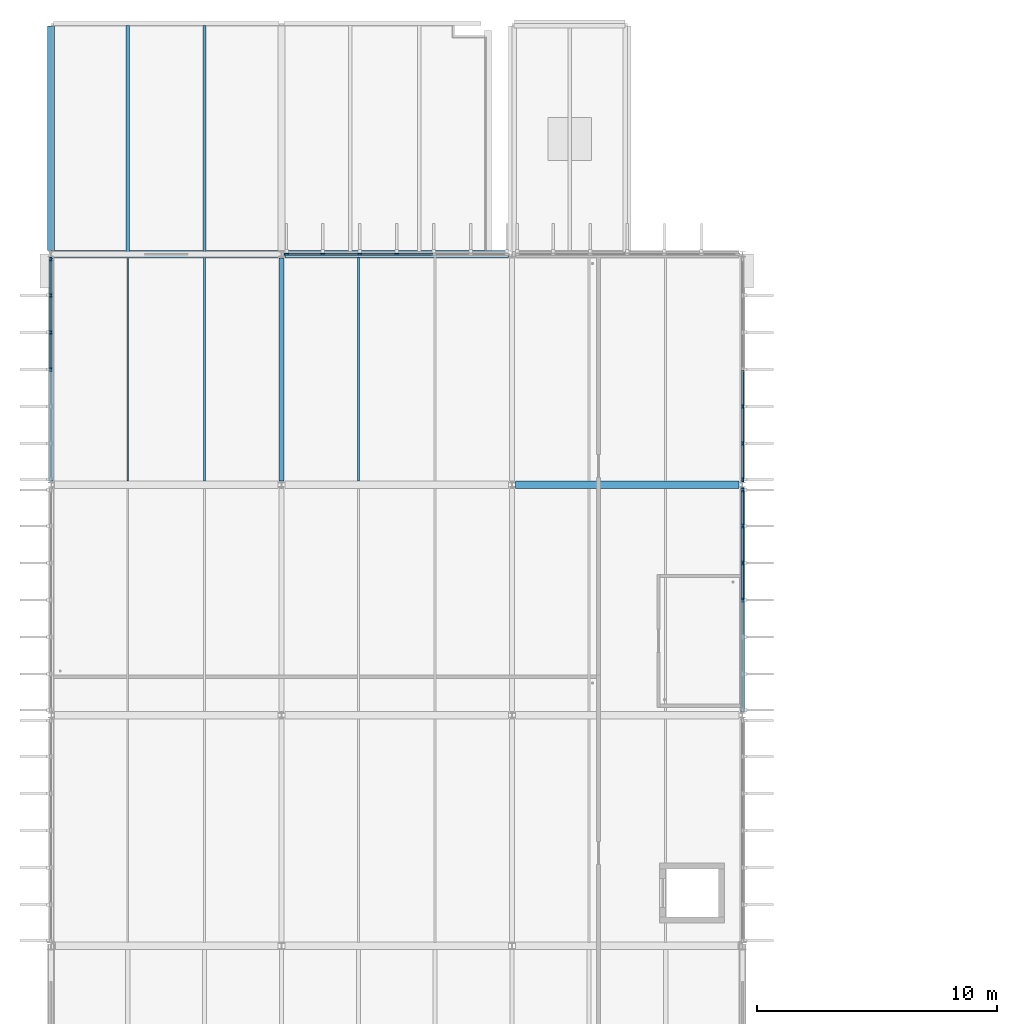
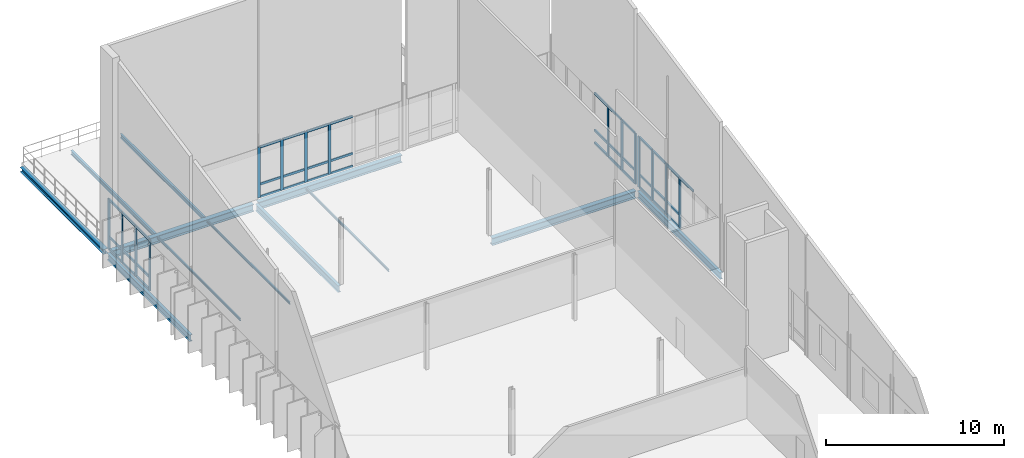
# One storey, part 36 of 93: 55 members, 12 beams, 4 elements without a shape of their own.
"""IFC4 building model written with IfcOpenShell, lengths in metres."""

import ifcopenshell
import ifcopenshell.guid

model = None  # the IFC model being written
_history = None  # IfcOwnerHistory: only IFC2X3 demands one
_inside = {}  # id of a spatial element -> (the spatial element, [elements in it])
_under = {}  # id of a project, library or spatial element -> (it, [spatial elements below it])
_declared = {}  # id of a project -> (the project, [libraries it declares])
_typed = {}  # id of a type object -> (the type object, [elements of that type])
_made_of = {}  # id of a material, layer set ... -> (it, [elements and type objects made of it])


def new_model(schema):
    """Start an empty IFC model of exactly this schema.

    Asked for "IFC4X3", IfcOpenShell would pick the latest addendum, in which some entities
    have other attributes; the version numbers below select the first issue.
    IFC2X3 requires an IfcOwnerHistory on every rooted entity: one is made here for all.
    """
    global model, _history
    if schema == "IFC4X3":
        model = ifcopenshell.file(schema_version=(4, 3, 0, 0))
    else:
        model = ifcopenshell.file(schema=schema)
    _inside.clear()
    _under.clear()
    _declared.clear()
    _typed.clear()
    _made_of.clear()
    _history = None
    if model.schema == "IFC2X3":
        org = make("IfcOrganization", Name="unknown")
        user = make(
            "IfcPersonAndOrganization",
            ThePerson=make("IfcPerson", FamilyName="unknown"),
            TheOrganization=org,
        )
        app = make(
            "IfcApplication",
            ApplicationDeveloper=org,
            Version="unknown",
            ApplicationFullName="unknown",
            ApplicationIdentifier="unknown",
        )
        _history = make(
            "IfcOwnerHistory",
            OwningUser=user,
            OwningApplication=app,
            ChangeAction="ADDED",
            CreationDate=0,
        )
    return model


def make(cls, **values):
    """One entity of the class cls with the attributes given. An attribute that is None is left unset."""
    return model.create_entity(
        cls, **{name: value for name, value in values.items() if value is not None}
    )


def rooted(cls, **values):
    """An entity with a GlobalId (a new one), such as an element, a storey or a relation."""
    return make(cls, GlobalId=ifcopenshell.guid.new(), OwnerHistory=_history, **values)


def si_unit(unit_type, name, prefix=None):
    """IfcSIUnit, for example si_unit("LENGTHUNIT", "METRE", prefix="MILLI")."""
    return make("IfcSIUnit", UnitType=unit_type, Prefix=prefix, Name=name)


def assignment(units):
    """IfcUnitAssignment: the units of a project."""
    return None if units is None else make("IfcUnitAssignment", Units=units)


def point(xyz):
    """IfcCartesianPoint."""
    return None if xyz is None else make("IfcCartesianPoint", Coordinates=xyz)


def direction(xyz):
    """IfcDirection."""
    return None if xyz is None else make("IfcDirection", DirectionRatios=xyz)


def frame(location, z_axis=None, x_axis=None):
    """IfcAxis2Placement3D, a coordinate frame: its origin and axes. An axis left out is left unset."""
    return make(
        "IfcAxis2Placement3D",
        Location=point(location),
        Axis=direction(z_axis),
        RefDirection=direction(x_axis),
    )


def frame_2d(location, x_axis=None):
    """IfcAxis2Placement2D, a coordinate frame in the plane: its origin and x axis."""
    return make(
        "IfcAxis2Placement2D", Location=point(location), RefDirection=direction(x_axis)
    )


def origin():
    """The frame at (0, 0, 0) with its axes left unset."""
    return frame((0.0, 0.0, 0.0))


def origin_2d():
    """The frame at (0, 0) in the plane with its x axis left unset."""
    return frame_2d((0.0, 0.0))


def place(relative_to, where):
    """IfcLocalPlacement: puts the frame where relative to a parent placement (None: the world)."""
    return make(
        "IfcLocalPlacement", PlacementRelTo=relative_to, RelativePlacement=where
    )


def context(
    kind, dimensions, precision=None, world=None, true_north=None, identifier=None
):
    """IfcGeometricRepresentationContext, for example the 3D "Model" context."""
    return make(
        "IfcGeometricRepresentationContext",
        ContextIdentifier=identifier,
        ContextType=kind,
        CoordinateSpaceDimension=dimensions,
        Precision=precision,
        WorldCoordinateSystem=world,
        TrueNorth=true_north,
    )


def subcontext(parent, identifier, kind, view, scale=None):
    """IfcGeometricRepresentationSubContext, for example "Body" below "Model"."""
    return make(
        "IfcGeometricRepresentationSubContext",
        ContextIdentifier=identifier,
        ContextType=kind,
        ParentContext=parent,
        TargetScale=scale,
        TargetView=view,
    )


def project(units=None, contexts=None):
    """IfcProject with its units and contexts."""
    return rooted(
        "IfcProject",
        Name="project",
        RepresentationContexts=contexts,
        UnitsInContext=assignment(units),
    )


def spatial(cls, under=None, at=None, **own):
    """A site, building, storey or space (cls), placed at a placement, below another one or the project."""
    s = rooted(cls, ObjectPlacement=at, **own)
    if under is not None:
        _under.setdefault(under.id(), (under, []))[1].append(s)
    return s


def profile(cls, at=None, kind="AREA", **sizes):
    """A parametric profile (cls). Its sizes go by their IFC names, for example OverallWidth=200.0."""
    return make(cls, ProfileType=kind, Position=at, **sizes)


def rectangle(**sizes):
    """IfcRectangleProfileDef."""
    return profile("IfcRectangleProfileDef", **sizes)


def i_section(**sizes):
    """IfcIShapeProfileDef."""
    return profile("IfcIShapeProfileDef", **sizes)


def extrude(swept, where, along, depth):
    """IfcExtrudedAreaSolid: the profile swept, set in the frame where, extruded along a direction by depth."""
    return make(
        "IfcExtrudedAreaSolid",
        SweptArea=swept,
        Position=where,
        ExtrudedDirection=direction(along),
        Depth=depth,
    )


def shape(context_of_items, identifier, shape_type, items):
    """IfcShapeRepresentation: the items that make up one representation, for example the "Body"."""
    return make(
        "IfcShapeRepresentation",
        ContextOfItems=context_of_items,
        RepresentationIdentifier=identifier,
        RepresentationType=shape_type,
        Items=items,
    )


def material(Name=None, Category=None):
    """IfcMaterial."""
    return make("IfcMaterial", Name=Name, Category=Category)


def material_profile(
    of_material, cross_section, Name=None, Category=None, Priority=None
):
    """IfcMaterialProfile: a cross section and its material."""
    return make(
        "IfcMaterialProfile",
        Name=Name,
        Material=of_material,
        Profile=cross_section,
        Priority=Priority,
        Category=Category,
    )


def profile_set(profiles, Name=None, composite=None):
    """IfcMaterialProfileSet."""
    return make(
        "IfcMaterialProfileSet",
        Name=Name,
        MaterialProfiles=profiles,
        CompositeProfile=composite,
    )


def made_of(thing, what):
    """Note that an element or type object is made of a material, layer set ...; save() writes the relation."""
    if what is not None:
        _made_of.setdefault(what.id(), (what, []))[1].append(thing)
    return thing


def type_object(cls, material=None, **own):
    """A type object (cls), such as IfcWallType, which elements share."""
    return made_of(rooted(cls, **own), material)


def element(
    cls,
    number,
    at=None,
    inside=None,
    cuts=None,
    type_object=None,
    material=None,
    context=None,
    identifier="Body",
    shape_type=None,
    held_by="IfcProductDefinitionShape",
    body=None,
    shapes=None,
    **own,
):
    """One element of the class cls, such as IfcWall. Its Tag is "e" and its number.

    at: its placement. inside: the storey or other place that contains it. cuts: it is an
    opening in that element (IfcRelVoidsElement). A single representation is given by context,
    identifier, shape_type and body (its items); several are given by shapes. held_by: the class
    of the entity that holds the representations. save() writes the other relations.
    """
    e = rooted(cls, Tag="e%d" % number, ObjectPlacement=at, **own)
    if body is not None:
        shapes = [shape(context, identifier, shape_type, body)]
    if shapes is not None:
        e.Representation = make(held_by, Representations=shapes)
    if inside is not None:
        _inside.setdefault(inside.id(), (inside, []))[1].append(e)
    if cuts is not None:
        rooted(
            "IfcRelVoidsElement", RelatingBuildingElement=cuts, RelatedOpeningElement=e
        )
    if type_object is not None:
        _typed.setdefault(type_object.id(), (type_object, []))[1].append(e)
    return made_of(e, material)


def aggregate(whole, parts):
    """IfcRelAggregates: a whole, such as a stair, and the parts it consists of."""
    return rooted("IfcRelAggregates", RelatingObject=whole, RelatedObjects=parts)


def save(model, path):
    """Write the relations noted so far, then the file.

    IfcRelAggregates (storeys below a building ...), IfcRelContainedInSpatialStructure (elements
    in a storey), IfcRelDefinesByType, IfcRelAssociatesMaterial and IfcRelDeclares: one each for
    every whole, place, type object, material and project.
    """
    for whole, parts in _under.values():
        aggregate(whole, parts)
    for where, things in _inside.values():
        rooted(
            "IfcRelContainedInSpatialStructure",
            RelatedElements=things,
            RelatingStructure=where,
        )
    for kind, things in _typed.values():
        rooted("IfcRelDefinesByType", RelatedObjects=things, RelatingType=kind)
    for what, things in _made_of.values():
        rooted("IfcRelAssociatesMaterial", RelatedObjects=things, RelatingMaterial=what)
    for by, libraries in _declared.values():
        rooted("IfcRelDeclares", RelatingContext=by, RelatedDefinitions=libraries)
    model.write(path)


model = new_model("IFC4")

# Units and contexts
model_context = context("Model", 3, precision=1e-05, world=origin(), true_north=direction((0.0, 1.0)))
body_context = subcontext(model_context, "Body", "Model", "MODEL_VIEW")
ifc_project = project(units=[si_unit("LENGTHUNIT", "METRE"), si_unit("AREAUNIT", "SQUARE_METRE"), si_unit("VOLUMEUNIT", "CUBIC_METRE"), si_unit("PLANEANGLEUNIT", "RADIAN"), si_unit("MASSUNIT", "GRAM", prefix="KILO")], contexts=[model_context])

# Site, building, storey
site_placement = place(None, origin())
site = spatial("IfcSite", under=ifc_project, at=site_placement, CompositionType="ELEMENT")
building_placement = place(site_placement, origin())
building = spatial("IfcBuilding", under=site, at=building_placement, Name="Dunescarp Central Library", CompositionType="ELEMENT")
storey_placement = place(building_placement, frame((0.0, 0.0, 14.10009765625)))
storey = spatial("IfcBuildingStorey", under=building, at=storey_placement, Name="L03", CompositionType="ELEMENT", Elevation=14.10009765625)

# Curtain wall, members
ifc_material_1 = material(Name="Marine-grade anodised aluminium 6063-T6", Category="aluminium")
curtain_wall_type = type_object("IfcCurtainWallType", Name="ARC-CW-STICK", PredefinedType="NOTDEFINED", material=ifc_material_1)
curtain_wall_1_placement = place(storey_placement, origin())
curtain_wall_1 = element("IfcCurtainWall", 1, at=curtain_wall_1_placement, inside=storey, type_object=curtain_wall_type, Name="L03 curtain wall CW-V4-133", PredefinedType="NOTDEFINED")
ifc_material_profile_1 = material_profile(ifc_material_1, rectangle(XDim=0.080078125, YDim=0.179931640625, at=origin_2d()), Name="AL 80x180")
ifc_profile_set_1 = profile_set([ifc_material_profile_1], Name="Marine-grade anodised aluminium 6063-T6")
member_type_1 = type_object("IfcMemberType", Name="ARC-CWM-180", PredefinedType="MULLION", material=ifc_profile_set_1)
member_1_placement = place(storey_placement, frame((28.800048828125, 79.784912109375, 0.0), z_axis=(0.0, 0.0, 1.0), x_axis=(1.0, 0.0, 0.0)))
member_1 = element("IfcMember", 2, at=member_1_placement, type_object=member_type_1, Name="CW-V4-133 mullion 1", PredefinedType="MULLION", context=body_context, shape_type="SweptSolid", body=[
    extrude(rectangle(XDim=0.080078125, YDim=0.179931640625, at=origin_2d()), origin(), (0.0, 0.0, 1.0), 3.48193359375),
])
member_2_placement = place(storey_placement, frame((28.800048828125, 78.283447265625, 0.0), z_axis=(0.0, 0.0, 1.0), x_axis=(1.0, 0.0, 0.0)))
member_2 = element("IfcMember", 3, at=member_2_placement, type_object=member_type_1, Name="CW-V4-133 mullion 2", PredefinedType="MULLION", context=body_context, shape_type="SweptSolid", body=[
    extrude(rectangle(XDim=0.080078125, YDim=0.179931640625, at=origin_2d()), origin(), (0.0, 0.0, 1.0), 3.48193359375),
])
member_3_placement = place(storey_placement, frame((28.800048828125, 76.74169921875, 0.0), z_axis=(0.0, 0.0, 1.0), x_axis=(1.0, 0.0, 0.0)))
member_3 = element("IfcMember", 4, at=member_3_placement, type_object=member_type_1, Name="CW-V4-133 mullion 3", PredefinedType="MULLION", context=body_context, shape_type="SweptSolid", body=[
    extrude(rectangle(XDim=0.080078125, YDim=0.179931640625, at=origin_2d()), origin(), (0.0, 0.0, 1.0), 3.48193359375),
])
member_4_placement = place(storey_placement, frame((28.800048828125, 75.199951171875, 0.0), z_axis=(0.0, 0.0, 1.0), x_axis=(1.0, 0.0, 0.0)))
member_4 = element("IfcMember", 5, at=member_4_placement, type_object=member_type_1, Name="CW-V4-133 mullion 4", PredefinedType="MULLION", context=body_context, shape_type="SweptSolid", body=[
    extrude(rectangle(XDim=0.080078125, YDim=0.179931640625, at=origin_2d()), origin(), (0.0, 0.0, 1.0), 3.48193359375),
])

curtain_wall_2_placement = place(storey_placement, origin())
curtain_wall_2 = element("IfcCurtainWall", 6, at=curtain_wall_2_placement, inside=storey, type_object=curtain_wall_type, Name="L03 curtain wall CW-V4-134", PredefinedType="NOTDEFINED")
member_5_placement = place(storey_placement, frame((0.0, 84.800048828125, 0.0), z_axis=(0.0, 0.0, 1.0), x_axis=(-1.0, 0.0, 0.0)))
member_5 = element("IfcMember", 7, at=member_5_placement, type_object=member_type_1, Name="CW-V4-134 mullion 4", PredefinedType="MULLION", context=body_context, shape_type="SweptSolid", body=[
    extrude(rectangle(XDim=0.080078125, YDim=0.179931640625, at=origin_2d()), origin(), (0.0, 0.0, 1.0), 3.48193359375),
])
member_6_placement = place(storey_placement, frame((0.0, 86.341552734375, 0.0), z_axis=(0.0, 0.0, 1.0), x_axis=(-1.0, 0.0, 0.0)))
member_6 = element("IfcMember", 8, at=member_6_placement, type_object=member_type_1, Name="CW-V4-134 mullion 5", PredefinedType="MULLION", context=body_context, shape_type="SweptSolid", body=[
    extrude(rectangle(XDim=0.080078125, YDim=0.179931640625, at=origin_2d()), origin(), (0.0, 0.0, 1.0), 3.48193359375),
])
member_7_placement = place(storey_placement, frame((0.0, 87.88330078125, 0.0), z_axis=(0.0, 0.0, 1.0), x_axis=(-1.0, 0.0, 0.0)))
member_7 = element("IfcMember", 9, at=member_7_placement, type_object=member_type_1, Name="CW-V4-134 mullion 6", PredefinedType="MULLION", context=body_context, shape_type="SweptSolid", body=[
    extrude(rectangle(XDim=0.080078125, YDim=0.179931640625, at=origin_2d()), origin(), (0.0, 0.0, 1.0), 3.48193359375),
])
member_8_placement = place(storey_placement, frame((0.0, 89.385009765625, 0.0), z_axis=(0.0, 0.0, 1.0), x_axis=(-1.0, 0.0, 0.0)))
member_8 = element("IfcMember", 10, at=member_8_placement, type_object=member_type_1, Name="CW-V4-134 mullion 7", PredefinedType="MULLION", context=body_context, shape_type="SweptSolid", body=[
    extrude(rectangle(XDim=0.080078125, YDim=0.179931640625, at=origin_2d()), origin(), (0.0, 0.0, 1.0), 3.48193359375),
])

curtain_wall_3_placement = place(storey_placement, origin())
curtain_wall_3 = element("IfcCurtainWall", 11, at=curtain_wall_3_placement, inside=storey, type_object=curtain_wall_type, Name="L03 curtain wall CW-V4-135", PredefinedType="NOTDEFINED")
member_9_placement = place(storey_placement, frame((28.800048828125, 83.25830078125, 0.0), z_axis=(0.0, 0.0, 1.0), x_axis=(1.0, 0.0, 0.0)))
member_9 = element("IfcMember", 12, at=member_9_placement, type_object=member_type_1, Name="CW-V4-135 mullion 5", PredefinedType="MULLION", context=body_context, shape_type="SweptSolid", body=[
    extrude(rectangle(XDim=0.080078125, YDim=0.179931640625, at=origin_2d()), origin(), (0.0, 0.0, 1.0), 3.48193359375),
])
member_10_placement = place(storey_placement, frame((28.800048828125, 81.716552734375, 0.0), z_axis=(0.0, 0.0, 1.0), x_axis=(1.0, 0.0, 0.0)))
member_10 = element("IfcMember", 13, at=member_10_placement, type_object=member_type_1, Name="CW-V4-135 mullion 6", PredefinedType="MULLION", context=body_context, shape_type="SweptSolid", body=[
    extrude(rectangle(XDim=0.080078125, YDim=0.179931640625, at=origin_2d()), origin(), (0.0, 0.0, 1.0), 3.48193359375),
])
member_11_placement = place(storey_placement, frame((28.800048828125, 80.215087890625, 0.0), z_axis=(0.0, 0.0, 1.0), x_axis=(1.0, 0.0, 0.0)))
member_11 = element("IfcMember", 14, at=member_11_placement, type_object=member_type_1, Name="CW-V4-135 mullion 7", PredefinedType="MULLION", context=body_context, shape_type="SweptSolid", body=[
    extrude(rectangle(XDim=0.080078125, YDim=0.179931640625, at=origin_2d()), origin(), (0.0, 0.0, 1.0), 3.48193359375),
])

curtain_wall_4_placement = place(storey_placement, origin())
curtain_wall_4 = element("IfcCurtainWall", 15, at=curtain_wall_4_placement, inside=storey, type_object=curtain_wall_type, Name="L03 curtain wall CW-V4-136", PredefinedType="NOTDEFINED")
member_12_placement = place(storey_placement, frame((9.81494140625, 89.60009765625, 0.0), z_axis=(0.0, 0.0, 1.0), x_axis=(0.0, 1.0, 0.0)))
member_12 = element("IfcMember", 16, at=member_12_placement, type_object=member_type_1, Name="CW-V4-136 mullion 1", PredefinedType="MULLION", context=body_context, shape_type="SweptSolid", body=[
    extrude(rectangle(XDim=0.080078125, YDim=0.179931640625, at=origin_2d()), origin(), (0.0, 0.0, 1.0), 3.474853515625),
])
member_13_placement = place(storey_placement, frame((11.316650390625, 89.60009765625, 0.0), z_axis=(0.0, 0.0, 1.0), x_axis=(0.0, 1.0, 0.0)))
member_13 = element("IfcMember", 17, at=member_13_placement, type_object=member_type_1, Name="CW-V4-136 mullion 2", PredefinedType="MULLION", context=body_context, shape_type="SweptSolid", body=[
    extrude(rectangle(XDim=0.080078125, YDim=0.179931640625, at=origin_2d()), origin(), (0.0, 0.0, 1.0), 3.474853515625),
])
member_14_placement = place(storey_placement, frame((12.8583984375, 89.60009765625, 0.0), z_axis=(0.0, 0.0, 1.0), x_axis=(0.0, 1.0, 0.0)))
member_14 = element("IfcMember", 18, at=member_14_placement, type_object=member_type_1, Name="CW-V4-136 mullion 3", PredefinedType="MULLION", context=body_context, shape_type="SweptSolid", body=[
    extrude(rectangle(XDim=0.080078125, YDim=0.179931640625, at=origin_2d()), origin(), (0.0, 0.0, 1.0), 3.474853515625),
])
member_15_placement = place(storey_placement, frame((14.39990234375, 89.60009765625, 0.0), z_axis=(0.0, 0.0, 1.0), x_axis=(0.0, 1.0, 0.0)))
member_15 = element("IfcMember", 19, at=member_15_placement, type_object=member_type_1, Name="CW-V4-136 mullion 4", PredefinedType="MULLION", context=body_context, shape_type="SweptSolid", body=[
    extrude(rectangle(XDim=0.080078125, YDim=0.179931640625, at=origin_2d()), origin(), (0.0, 0.0, 1.0), 3.474853515625),
])

# Member
ifc_material_profile_2 = material_profile(ifc_material_1, rectangle(XDim=0.080078125, YDim=0.14990234375, at=origin_2d()), Name="AL 80x150")
ifc_profile_set_2 = profile_set([ifc_material_profile_2], Name="Marine-grade anodised aluminium 6063-T6")
member_type_2 = type_object("IfcMemberType", Name="ARC-CWT-150", PredefinedType="USERDEFINED", material=ifc_profile_set_2)
member_16_placement = place(storey_placement, frame((28.800048828125, 79.7451171875, 0.039794921875), z_axis=(0.0, -1.0, 0.0), x_axis=(1.0, 0.0, 0.0)))
member_16 = element("IfcMember", 20, at=member_16_placement, type_object=member_type_2, Name="CW-V4-133 transom 1.1", ObjectType="TRANSOM", PredefinedType="USERDEFINED", context=body_context, shape_type="SweptSolid", body=[
    extrude(rectangle(XDim=0.080078125, YDim=0.14990234375, at=origin_2d()), origin(), (0.0, 0.0, 1.0), 1.421875),
])

member_17_placement = place(storey_placement, frame((28.800048828125, 79.7451171875, 0.89990234375), z_axis=(0.0, -1.0, 0.0), x_axis=(1.0, 0.0, 0.0)))
member_17 = element("IfcMember", 21, at=member_17_placement, type_object=member_type_2, Name="CW-V4-133 transom 1.2", ObjectType="TRANSOM", PredefinedType="USERDEFINED", context=body_context, shape_type="SweptSolid", body=[
    extrude(rectangle(XDim=0.080078125, YDim=0.14990234375, at=origin_2d()), origin(), (0.0, 0.0, 1.0), 1.421875),
])

member_18_placement = place(storey_placement, frame((28.800048828125, 79.7451171875, 3.44189453125), z_axis=(0.0, -1.0, 0.0), x_axis=(1.0, 0.0, 0.0)))
member_18 = element("IfcMember", 22, at=member_18_placement, type_object=member_type_2, Name="CW-V4-133 transom 1.3", ObjectType="TRANSOM", PredefinedType="USERDEFINED", context=body_context, shape_type="SweptSolid", body=[
    extrude(rectangle(XDim=0.080078125, YDim=0.14990234375, at=origin_2d()), origin(), (0.0, 0.0, 1.0), 1.421875),
])

member_19_placement = place(storey_placement, frame((28.800048828125, 78.243408203125, 0.039794921875), z_axis=(0.0, -1.0, 0.0), x_axis=(1.0, 0.0, 0.0)))
member_19 = element("IfcMember", 23, at=member_19_placement, type_object=member_type_2, Name="CW-V4-133 transom 2.1", ObjectType="TRANSOM", PredefinedType="USERDEFINED", context=body_context, shape_type="SweptSolid", body=[
    extrude(rectangle(XDim=0.080078125, YDim=0.14990234375, at=origin_2d()), origin(), (0.0, 0.0, 1.0), 1.461669921875),
])

member_20_placement = place(storey_placement, frame((28.800048828125, 78.243408203125, 0.89990234375), z_axis=(0.0, -1.0, 0.0), x_axis=(1.0, 0.0, 0.0)))
member_20 = element("IfcMember", 24, at=member_20_placement, type_object=member_type_2, Name="CW-V4-133 transom 2.2", ObjectType="TRANSOM", PredefinedType="USERDEFINED", context=body_context, shape_type="SweptSolid", body=[
    extrude(rectangle(XDim=0.080078125, YDim=0.14990234375, at=origin_2d()), origin(), (0.0, 0.0, 1.0), 1.461669921875),
])

member_21_placement = place(storey_placement, frame((28.800048828125, 78.243408203125, 3.44189453125), z_axis=(0.0, -1.0, 0.0), x_axis=(1.0, 0.0, 0.0)))
member_21 = element("IfcMember", 25, at=member_21_placement, type_object=member_type_2, Name="CW-V4-133 transom 2.3", ObjectType="TRANSOM", PredefinedType="USERDEFINED", context=body_context, shape_type="SweptSolid", body=[
    extrude(rectangle(XDim=0.080078125, YDim=0.14990234375, at=origin_2d()), origin(), (0.0, 0.0, 1.0), 1.461669921875),
])

member_22_placement = place(storey_placement, frame((28.800048828125, 76.70166015625, 0.039794921875), z_axis=(0.0, -1.0, 0.0), x_axis=(1.0, 0.0, 0.0)))
member_22 = element("IfcMember", 26, at=member_22_placement, type_object=member_type_2, Name="CW-V4-133 transom 3.1", ObjectType="TRANSOM", PredefinedType="USERDEFINED", context=body_context, shape_type="SweptSolid", body=[
    extrude(rectangle(XDim=0.080078125, YDim=0.14990234375, at=origin_2d()), origin(), (0.0, 0.0, 1.0), 1.461669921875),
])

member_23_placement = place(storey_placement, frame((28.800048828125, 76.70166015625, 0.89990234375), z_axis=(0.0, -1.0, 0.0), x_axis=(1.0, 0.0, 0.0)))
member_23 = element("IfcMember", 27, at=member_23_placement, type_object=member_type_2, Name="CW-V4-133 transom 3.2", ObjectType="TRANSOM", PredefinedType="USERDEFINED", context=body_context, shape_type="SweptSolid", body=[
    extrude(rectangle(XDim=0.080078125, YDim=0.14990234375, at=origin_2d()), origin(), (0.0, 0.0, 1.0), 1.461669921875),
])

member_24_placement = place(storey_placement, frame((28.800048828125, 76.70166015625, 3.44189453125), z_axis=(0.0, -1.0, 0.0), x_axis=(1.0, 0.0, 0.0)))
member_24 = element("IfcMember", 28, at=member_24_placement, type_object=member_type_2, Name="CW-V4-133 transom 3.3", ObjectType="TRANSOM", PredefinedType="USERDEFINED", context=body_context, shape_type="SweptSolid", body=[
    extrude(rectangle(XDim=0.080078125, YDim=0.14990234375, at=origin_2d()), origin(), (0.0, 0.0, 1.0), 1.461669921875),
])

member_25_placement = place(storey_placement, frame((28.800048828125, 75.159912109375, 3.44189453125), z_axis=(0.0, -1.0, 0.0), x_axis=(1.0, 0.0, 0.0)))
member_25 = element("IfcMember", 29, at=member_25_placement, type_object=member_type_2, Name="CW-V4-133 transom 4.3", ObjectType="TRANSOM", PredefinedType="USERDEFINED", context=body_context, shape_type="SweptSolid", body=[
    extrude(rectangle(XDim=0.080078125, YDim=0.14990234375, at=origin_2d()), origin(), (0.0, 0.0, 1.0), 1.461669921875),
])

aggregate(curtain_wall_1, [member_1, member_2, member_3, member_4, member_16, member_17, member_18, member_19, member_20, member_21, member_22, member_23, member_24, member_25])

member_26_placement = place(storey_placement, frame((0.0, 84.840087890625, 0.039794921875), z_axis=(0.0, 1.0, 0.0), x_axis=(-1.0, 0.0, 0.0)))
member_26 = element("IfcMember", 30, at=member_26_placement, type_object=member_type_2, Name="CW-V4-134 transom 4.1", ObjectType="TRANSOM", PredefinedType="USERDEFINED", context=body_context, shape_type="SweptSolid", body=[
    extrude(rectangle(XDim=0.080078125, YDim=0.14990234375, at=origin_2d()), origin(), (0.0, 0.0, 1.0), 1.461669921875),
])

member_27_placement = place(storey_placement, frame((0.0, 84.840087890625, 0.89990234375), z_axis=(0.0, 1.0, 0.0), x_axis=(-1.0, 0.0, 0.0)))
member_27 = element("IfcMember", 31, at=member_27_placement, type_object=member_type_2, Name="CW-V4-134 transom 4.2", ObjectType="TRANSOM", PredefinedType="USERDEFINED", context=body_context, shape_type="SweptSolid", body=[
    extrude(rectangle(XDim=0.080078125, YDim=0.14990234375, at=origin_2d()), origin(), (0.0, 0.0, 1.0), 1.461669921875),
])

member_28_placement = place(storey_placement, frame((0.0, 84.840087890625, 3.44189453125), z_axis=(0.0, 1.0, 0.0), x_axis=(-1.0, 0.0, 0.0)))
member_28 = element("IfcMember", 32, at=member_28_placement, type_object=member_type_2, Name="CW-V4-134 transom 4.3", ObjectType="TRANSOM", PredefinedType="USERDEFINED", context=body_context, shape_type="SweptSolid", body=[
    extrude(rectangle(XDim=0.080078125, YDim=0.14990234375, at=origin_2d()), origin(), (0.0, 0.0, 1.0), 1.461669921875),
])

member_29_placement = place(storey_placement, frame((0.0, 86.381591796875, 0.039794921875), z_axis=(0.0, 1.0, 0.0), x_axis=(-1.0, 0.0, 0.0)))
member_29 = element("IfcMember", 33, at=member_29_placement, type_object=member_type_2, Name="CW-V4-134 transom 5.1", ObjectType="TRANSOM", PredefinedType="USERDEFINED", context=body_context, shape_type="SweptSolid", body=[
    extrude(rectangle(XDim=0.080078125, YDim=0.14990234375, at=origin_2d()), origin(), (0.0, 0.0, 1.0), 1.461669921875),
])

member_30_placement = place(storey_placement, frame((0.0, 86.381591796875, 0.89990234375), z_axis=(0.0, 1.0, 0.0), x_axis=(-1.0, 0.0, 0.0)))
member_30 = element("IfcMember", 34, at=member_30_placement, type_object=member_type_2, Name="CW-V4-134 transom 5.2", ObjectType="TRANSOM", PredefinedType="USERDEFINED", context=body_context, shape_type="SweptSolid", body=[
    extrude(rectangle(XDim=0.080078125, YDim=0.14990234375, at=origin_2d()), origin(), (0.0, 0.0, 1.0), 1.461669921875),
])

member_31_placement = place(storey_placement, frame((0.0, 86.381591796875, 3.44189453125), z_axis=(0.0, 1.0, 0.0), x_axis=(-1.0, 0.0, 0.0)))
member_31 = element("IfcMember", 35, at=member_31_placement, type_object=member_type_2, Name="CW-V4-134 transom 5.3", ObjectType="TRANSOM", PredefinedType="USERDEFINED", context=body_context, shape_type="SweptSolid", body=[
    extrude(rectangle(XDim=0.080078125, YDim=0.14990234375, at=origin_2d()), origin(), (0.0, 0.0, 1.0), 1.461669921875),
])

member_32_placement = place(storey_placement, frame((0.0, 87.92333984375, 0.039794921875), z_axis=(0.0, 1.0, 0.0), x_axis=(-1.0, 0.0, 0.0)))
member_32 = element("IfcMember", 36, at=member_32_placement, type_object=member_type_2, Name="CW-V4-134 transom 6.1", ObjectType="TRANSOM", PredefinedType="USERDEFINED", context=body_context, shape_type="SweptSolid", body=[
    extrude(rectangle(XDim=0.080078125, YDim=0.14990234375, at=origin_2d()), origin(), (0.0, 0.0, 1.0), 1.421630859375),
])

member_33_placement = place(storey_placement, frame((0.0, 87.92333984375, 0.89990234375), z_axis=(0.0, 1.0, 0.0), x_axis=(-1.0, 0.0, 0.0)))
member_33 = element("IfcMember", 37, at=member_33_placement, type_object=member_type_2, Name="CW-V4-134 transom 6.2", ObjectType="TRANSOM", PredefinedType="USERDEFINED", context=body_context, shape_type="SweptSolid", body=[
    extrude(rectangle(XDim=0.080078125, YDim=0.14990234375, at=origin_2d()), origin(), (0.0, 0.0, 1.0), 1.421630859375),
])

member_34_placement = place(storey_placement, frame((0.0, 87.92333984375, 3.44189453125), z_axis=(0.0, 1.0, 0.0), x_axis=(-1.0, 0.0, 0.0)))
member_34 = element("IfcMember", 38, at=member_34_placement, type_object=member_type_2, Name="CW-V4-134 transom 6.3", ObjectType="TRANSOM", PredefinedType="USERDEFINED", context=body_context, shape_type="SweptSolid", body=[
    extrude(rectangle(XDim=0.080078125, YDim=0.14990234375, at=origin_2d()), origin(), (0.0, 0.0, 1.0), 1.421630859375),
])

aggregate(curtain_wall_2, [member_5, member_6, member_7, member_8, member_26, member_27, member_28, member_29, member_30, member_31, member_32, member_33, member_34])

member_35_placement = place(storey_placement, frame((28.800048828125, 84.760009765625, 0.039794921875), z_axis=(0.0, -1.0, 0.0), x_axis=(1.0, 0.0, 0.0)))
member_35 = element("IfcMember", 39, at=member_35_placement, type_object=member_type_2, Name="CW-V4-135 transom 4.1", ObjectType="TRANSOM", PredefinedType="USERDEFINED", context=body_context, shape_type="SweptSolid", body=[
    extrude(rectangle(XDim=0.080078125, YDim=0.14990234375, at=origin_2d()), origin(), (0.0, 0.0, 1.0), 1.461669921875),
])

member_36_placement = place(storey_placement, frame((28.800048828125, 84.760009765625, 0.89990234375), z_axis=(0.0, -1.0, 0.0), x_axis=(1.0, 0.0, 0.0)))
member_36 = element("IfcMember", 40, at=member_36_placement, type_object=member_type_2, Name="CW-V4-135 transom 4.2", ObjectType="TRANSOM", PredefinedType="USERDEFINED", context=body_context, shape_type="SweptSolid", body=[
    extrude(rectangle(XDim=0.080078125, YDim=0.14990234375, at=origin_2d()), origin(), (0.0, 0.0, 1.0), 1.461669921875),
])

member_37_placement = place(storey_placement, frame((28.800048828125, 84.760009765625, 3.44189453125), z_axis=(0.0, -1.0, 0.0), x_axis=(1.0, 0.0, 0.0)))
member_37 = element("IfcMember", 41, at=member_37_placement, type_object=member_type_2, Name="CW-V4-135 transom 4.3", ObjectType="TRANSOM", PredefinedType="USERDEFINED", context=body_context, shape_type="SweptSolid", body=[
    extrude(rectangle(XDim=0.080078125, YDim=0.14990234375, at=origin_2d()), origin(), (0.0, 0.0, 1.0), 1.461669921875),
])

member_38_placement = place(storey_placement, frame((28.800048828125, 83.21826171875, 0.039794921875), z_axis=(0.0, -1.0, 0.0), x_axis=(1.0, 0.0, 0.0)))
member_38 = element("IfcMember", 42, at=member_38_placement, type_object=member_type_2, Name="CW-V4-135 transom 5.1", ObjectType="TRANSOM", PredefinedType="USERDEFINED", context=body_context, shape_type="SweptSolid", body=[
    extrude(rectangle(XDim=0.080078125, YDim=0.14990234375, at=origin_2d()), origin(), (0.0, 0.0, 1.0), 1.461669921875),
])

member_39_placement = place(storey_placement, frame((28.800048828125, 83.21826171875, 0.89990234375), z_axis=(0.0, -1.0, 0.0), x_axis=(1.0, 0.0, 0.0)))
member_39 = element("IfcMember", 43, at=member_39_placement, type_object=member_type_2, Name="CW-V4-135 transom 5.2", ObjectType="TRANSOM", PredefinedType="USERDEFINED", context=body_context, shape_type="SweptSolid", body=[
    extrude(rectangle(XDim=0.080078125, YDim=0.14990234375, at=origin_2d()), origin(), (0.0, 0.0, 1.0), 1.461669921875),
])

member_40_placement = place(storey_placement, frame((28.800048828125, 83.21826171875, 3.44189453125), z_axis=(0.0, -1.0, 0.0), x_axis=(1.0, 0.0, 0.0)))
member_40 = element("IfcMember", 44, at=member_40_placement, type_object=member_type_2, Name="CW-V4-135 transom 5.3", ObjectType="TRANSOM", PredefinedType="USERDEFINED", context=body_context, shape_type="SweptSolid", body=[
    extrude(rectangle(XDim=0.080078125, YDim=0.14990234375, at=origin_2d()), origin(), (0.0, 0.0, 1.0), 1.461669921875),
])

member_41_placement = place(storey_placement, frame((28.800048828125, 81.6767578125, 0.039794921875), z_axis=(0.0, -1.0, 0.0), x_axis=(1.0, 0.0, 0.0)))
member_41 = element("IfcMember", 45, at=member_41_placement, type_object=member_type_2, Name="CW-V4-135 transom 6.1", ObjectType="TRANSOM", PredefinedType="USERDEFINED", context=body_context, shape_type="SweptSolid", body=[
    extrude(rectangle(XDim=0.080078125, YDim=0.14990234375, at=origin_2d()), origin(), (0.0, 0.0, 1.0), 1.421875),
])

member_42_placement = place(storey_placement, frame((28.800048828125, 81.6767578125, 0.89990234375), z_axis=(0.0, -1.0, 0.0), x_axis=(1.0, 0.0, 0.0)))
member_42 = element("IfcMember", 46, at=member_42_placement, type_object=member_type_2, Name="CW-V4-135 transom 6.2", ObjectType="TRANSOM", PredefinedType="USERDEFINED", context=body_context, shape_type="SweptSolid", body=[
    extrude(rectangle(XDim=0.080078125, YDim=0.14990234375, at=origin_2d()), origin(), (0.0, 0.0, 1.0), 1.421875),
])

member_43_placement = place(storey_placement, frame((28.800048828125, 81.6767578125, 3.44189453125), z_axis=(0.0, -1.0, 0.0), x_axis=(1.0, 0.0, 0.0)))
member_43 = element("IfcMember", 47, at=member_43_placement, type_object=member_type_2, Name="CW-V4-135 transom 6.3", ObjectType="TRANSOM", PredefinedType="USERDEFINED", context=body_context, shape_type="SweptSolid", body=[
    extrude(rectangle(XDim=0.080078125, YDim=0.14990234375, at=origin_2d()), origin(), (0.0, 0.0, 1.0), 1.421875),
])

aggregate(curtain_wall_3, [member_9, member_10, member_11, member_35, member_36, member_37, member_38, member_39, member_40, member_41, member_42, member_43])

member_44_placement = place(storey_placement, frame((9.85498046875, 89.60009765625, 0.039794921875), z_axis=(1.0, 0.0, 0.0), x_axis=(0.0, 1.0, 0.0)))
member_44 = element("IfcMember", 48, at=member_44_placement, type_object=member_type_2, Name="CW-V4-136 transom 1.1", ObjectType="TRANSOM", PredefinedType="USERDEFINED", context=body_context, shape_type="SweptSolid", body=[
    extrude(rectangle(XDim=0.080078125, YDim=0.14990234375, at=origin_2d()), origin(), (0.0, 0.0, 1.0), 1.421630859375),
])

member_45_placement = place(storey_placement, frame((9.85498046875, 89.60009765625, 0.89990234375), z_axis=(1.0, 0.0, 0.0), x_axis=(0.0, 1.0, 0.0)))
member_45 = element("IfcMember", 49, at=member_45_placement, type_object=member_type_2, Name="CW-V4-136 transom 1.2", ObjectType="TRANSOM", PredefinedType="USERDEFINED", context=body_context, shape_type="SweptSolid", body=[
    extrude(rectangle(XDim=0.080078125, YDim=0.14990234375, at=origin_2d()), origin(), (0.0, 0.0, 1.0), 1.421630859375),
])

member_46_placement = place(storey_placement, frame((9.85498046875, 89.60009765625, 3.434814453125), z_axis=(1.0, 0.0, 0.0), x_axis=(0.0, 1.0, 0.0)))
member_46 = element("IfcMember", 50, at=member_46_placement, type_object=member_type_2, Name="CW-V4-136 transom 1.3", ObjectType="TRANSOM", PredefinedType="USERDEFINED", context=body_context, shape_type="SweptSolid", body=[
    extrude(rectangle(XDim=0.080078125, YDim=0.14990234375, at=origin_2d()), origin(), (0.0, 0.0, 1.0), 1.421630859375),
])

member_47_placement = place(storey_placement, frame((11.356689453125, 89.60009765625, 0.039794921875), z_axis=(1.0, 0.0, 0.0), x_axis=(0.0, 1.0, 0.0)))
member_47 = element("IfcMember", 51, at=member_47_placement, type_object=member_type_2, Name="CW-V4-136 transom 2.1", ObjectType="TRANSOM", PredefinedType="USERDEFINED", context=body_context, shape_type="SweptSolid", body=[
    extrude(rectangle(XDim=0.080078125, YDim=0.14990234375, at=origin_2d()), origin(), (0.0, 0.0, 1.0), 1.461669921875),
])

member_48_placement = place(storey_placement, frame((11.356689453125, 89.60009765625, 0.89990234375), z_axis=(1.0, 0.0, 0.0), x_axis=(0.0, 1.0, 0.0)))
member_48 = element("IfcMember", 52, at=member_48_placement, type_object=member_type_2, Name="CW-V4-136 transom 2.2", ObjectType="TRANSOM", PredefinedType="USERDEFINED", context=body_context, shape_type="SweptSolid", body=[
    extrude(rectangle(XDim=0.080078125, YDim=0.14990234375, at=origin_2d()), origin(), (0.0, 0.0, 1.0), 1.461669921875),
])

member_49_placement = place(storey_placement, frame((11.356689453125, 89.60009765625, 3.434814453125), z_axis=(1.0, 0.0, 0.0), x_axis=(0.0, 1.0, 0.0)))
member_49 = element("IfcMember", 53, at=member_49_placement, type_object=member_type_2, Name="CW-V4-136 transom 2.3", ObjectType="TRANSOM", PredefinedType="USERDEFINED", context=body_context, shape_type="SweptSolid", body=[
    extrude(rectangle(XDim=0.080078125, YDim=0.14990234375, at=origin_2d()), origin(), (0.0, 0.0, 1.0), 1.461669921875),
])

member_50_placement = place(storey_placement, frame((12.8984375, 89.60009765625, 0.039794921875), z_axis=(1.0, 0.0, 0.0), x_axis=(0.0, 1.0, 0.0)))
member_50 = element("IfcMember", 54, at=member_50_placement, type_object=member_type_2, Name="CW-V4-136 transom 3.1", ObjectType="TRANSOM", PredefinedType="USERDEFINED", context=body_context, shape_type="SweptSolid", body=[
    extrude(rectangle(XDim=0.080078125, YDim=0.14990234375, at=origin_2d()), origin(), (0.0, 0.0, 1.0), 1.461669921875),
])

member_51_placement = place(storey_placement, frame((12.8984375, 89.60009765625, 0.89990234375), z_axis=(1.0, 0.0, 0.0), x_axis=(0.0, 1.0, 0.0)))
member_51 = element("IfcMember", 55, at=member_51_placement, type_object=member_type_2, Name="CW-V4-136 transom 3.2", ObjectType="TRANSOM", PredefinedType="USERDEFINED", context=body_context, shape_type="SweptSolid", body=[
    extrude(rectangle(XDim=0.080078125, YDim=0.14990234375, at=origin_2d()), origin(), (0.0, 0.0, 1.0), 1.461669921875),
])

member_52_placement = place(storey_placement, frame((12.8984375, 89.60009765625, 3.434814453125), z_axis=(1.0, 0.0, 0.0), x_axis=(0.0, 1.0, 0.0)))
member_52 = element("IfcMember", 56, at=member_52_placement, type_object=member_type_2, Name="CW-V4-136 transom 3.3", ObjectType="TRANSOM", PredefinedType="USERDEFINED", context=body_context, shape_type="SweptSolid", body=[
    extrude(rectangle(XDim=0.080078125, YDim=0.14990234375, at=origin_2d()), origin(), (0.0, 0.0, 1.0), 1.461669921875),
])

member_53_placement = place(storey_placement, frame((14.43994140625, 89.60009765625, 0.039794921875), z_axis=(1.0, 0.0, 0.0), x_axis=(0.0, 1.0, 0.0)))
member_53 = element("IfcMember", 57, at=member_53_placement, type_object=member_type_2, Name="CW-V4-136 transom 4.1", ObjectType="TRANSOM", PredefinedType="USERDEFINED", context=body_context, shape_type="SweptSolid", body=[
    extrude(rectangle(XDim=0.080078125, YDim=0.14990234375, at=origin_2d()), origin(), (0.0, 0.0, 1.0), 1.461669921875),
])

member_54_placement = place(storey_placement, frame((14.43994140625, 89.60009765625, 0.89990234375), z_axis=(1.0, 0.0, 0.0), x_axis=(0.0, 1.0, 0.0)))
member_54 = element("IfcMember", 58, at=member_54_placement, type_object=member_type_2, Name="CW-V4-136 transom 4.2", ObjectType="TRANSOM", PredefinedType="USERDEFINED", context=body_context, shape_type="SweptSolid", body=[
    extrude(rectangle(XDim=0.080078125, YDim=0.14990234375, at=origin_2d()), origin(), (0.0, 0.0, 1.0), 1.461669921875),
])

member_55_placement = place(storey_placement, frame((14.43994140625, 89.60009765625, 3.434814453125), z_axis=(1.0, 0.0, 0.0), x_axis=(0.0, 1.0, 0.0)))
member_55 = element("IfcMember", 59, at=member_55_placement, type_object=member_type_2, Name="CW-V4-136 transom 4.3", ObjectType="TRANSOM", PredefinedType="USERDEFINED", context=body_context, shape_type="SweptSolid", body=[
    extrude(rectangle(XDim=0.080078125, YDim=0.14990234375, at=origin_2d()), origin(), (0.0, 0.0, 1.0), 1.461669921875),
])

aggregate(curtain_wall_4, [member_12, member_13, member_14, member_15, member_44, member_45, member_46, member_47, member_48, member_49, member_50, member_51, member_52, member_53, member_54, member_55])

# Beams
ifc_material_2 = material(Name="Steel S355JR", Category="steel")
ifc_material_profile_3 = material_profile(ifc_material_2, i_section(OverallWidth=0.300048828125, OverallDepth=0.330078125, WebThickness=0.009521484375, FlangeThickness=0.0166015625, at=origin_2d()), Name="HEA 340")
ifc_profile_set_3 = profile_set([ifc_material_profile_3], Name="Steel S355JR")
beam_type_1 = type_object("IfcBeamType", Name="STR-BM-HEA340", PredefinedType="BEAM", material=ifc_profile_set_3)
beam_1_placement = place(storey_placement, frame((0.0, 89.760986328125, -0.35498046875), z_axis=(0.0, 1.0, 0.0), x_axis=(-1.0, 0.0, 0.0)))
element("IfcBeam", 60, at=beam_1_placement, inside=storey, type_object=beam_type_1, Name="L03 girder BM-L03-1502", PredefinedType="BEAM", context=body_context, shape_type="SweptSolid", body=[
    extrude(i_section(OverallWidth=0.300048828125, OverallDepth=0.330078125, WebThickness=0.009521484375, FlangeThickness=0.0166015625, at=origin_2d()), origin(), (0.0, 0.0, 1.0), 9.340087890625),
])
ifc_material_profile_4 = material_profile(ifc_material_2, i_section(OverallWidth=0.300048828125, OverallDepth=0.5, WebThickness=0.014404296875, FlangeThickness=0.028076171875, at=origin_2d()), Name="HEB 500")
ifc_profile_set_4 = profile_set([ifc_material_profile_4], Name="Steel S355JR")
beam_type_2 = type_object("IfcBeamType", Name="STR-BM-HEB500", PredefinedType="BEAM", material=ifc_profile_set_4)
beam_2_placement = place(storey_placement, frame((0.153076171875, 89.60009765625, -0.489990234375), z_axis=(1.0, 0.0, 0.0), x_axis=(0.0, 1.0, 0.0)))
element("IfcBeam", 61, at=beam_2_placement, inside=storey, type_object=beam_type_2, Name="L03 girder BM-L03-1040", PredefinedType="BEAM", context=body_context, shape_type="SweptSolid", body=[
    extrude(i_section(OverallWidth=0.300048828125, OverallDepth=0.5, WebThickness=0.014404296875, FlangeThickness=0.028076171875, at=origin_2d()), origin(), (0.0, 0.0, 1.0), 9.2939453125),
])
beam_3_placement = place(storey_placement, frame((9.7529296875, 89.60009765625, -0.489990234375), z_axis=(1.0, 0.0, 0.0), x_axis=(0.0, 1.0, 0.0)))
element("IfcBeam", 62, at=beam_3_placement, inside=storey, type_object=beam_type_2, Name="L03 girder BM-L03-1054", PredefinedType="BEAM", context=body_context, shape_type="SweptSolid", body=[
    extrude(i_section(OverallWidth=0.300048828125, OverallDepth=0.5, WebThickness=0.014404296875, FlangeThickness=0.028076171875, at=origin_2d()), origin(), (0.0, 0.0, 1.0), 9.294189453125),
])
beam_4_placement = place(storey_placement, frame((19.35302734375, 80.0, -0.489990234375), z_axis=(1.0, 0.0, 0.0), x_axis=(0.0, 1.0, 0.0)))
element("IfcBeam", 63, at=beam_4_placement, inside=storey, type_object=beam_type_2, Name="L03 girder BM-L03-1063", PredefinedType="BEAM", context=body_context, shape_type="SweptSolid", body=[
    extrude(i_section(OverallWidth=0.300048828125, OverallDepth=0.5, WebThickness=0.014404296875, FlangeThickness=0.028076171875, at=origin_2d()), origin(), (0.0, 0.0, 1.0), 9.2939453125),
])
ifc_material_profile_5 = material_profile(ifc_material_2, i_section(OverallWidth=0.18994140625, OverallDepth=0.453369140625, WebThickness=0.008544921875, FlangeThickness=0.0126953125, at=origin_2d()), Name="UB 457x191x67")
ifc_profile_set_5 = profile_set([ifc_material_profile_5], Name="Steel S355JR")
beam_type_3 = type_object("IfcBeamType", Name="STR-BM-UB457", PredefinedType="BEAM", material=ifc_profile_set_5)
for number, where, z_axis, x_axis, name in (
    (64, (0.0, 80.160888671875, -0.467041015625), (0.0, 1.0, 0.0), (-1.0, 0.0, 0.0), "L03 girder BM-L03-1041"),
    (65, (9.60009765625, 80.160888671875, -0.467041015625), (0.0, 1.0, 0.0), (-1.0, 0.0, 0.0), "L03 girder BM-L03-1042"),
    (66, (28.800048828125, 70.56103515625, -0.467041015625), (0.0, 1.0, 0.0), (-1.0, 0.0, 0.0), "L03 girder BM-L03-1064"),
):
    element("IfcBeam", number, at=place(storey_placement, frame(where, z_axis=z_axis, x_axis=x_axis)), inside=storey, type_object=beam_type_3, Name=name, PredefinedType="BEAM", context=body_context, shape_type="SweptSolid", body=[
        extrude(i_section(OverallWidth=0.18994140625, OverallDepth=0.453369140625, WebThickness=0.008544921875, FlangeThickness=0.0126953125, at=origin_2d()), origin(), (0.0, 0.0, 1.0), 9.278076171875),
    ])
ifc_material_profile_6 = material_profile(ifc_material_2, i_section(OverallWidth=0.08203125, OverallDepth=0.159912109375, WebThickness=0.0048828125, FlangeThickness=0.00732421875, at=origin_2d()), Name="IPE 160")
ifc_profile_set_6 = profile_set([ifc_material_profile_6], Name="Steel S355JR")
beam_type_4 = type_object("IfcBeamType", Name="STR-JS-IPE160", PredefinedType="JOIST", material=ifc_profile_set_6)
for number, where, z_axis, x_axis, name in (
    (67, (3.199951171875, 80.14794921875, -0.320068359375), (0.0, 1.0, 0.0), (-1.0, 0.0, 0.0), "L03 joist JS-L03-1043"),
    (68, (6.39990234375, 80.14794921875, -0.320068359375), (0.0, 1.0, 0.0), (-1.0, 0.0, 0.0), "L03 joist JS-L03-1044"),
    (69, (12.800048828125, 80.14794921875, -0.320068359375), (0.0, 1.0, 0.0), (-1.0, 0.0, 0.0), "L03 joist JS-L03-1056"),
):
    element("IfcBeam", number, at=place(storey_placement, frame(where, z_axis=z_axis, x_axis=x_axis)), inside=storey, type_object=beam_type_4, Name=name, PredefinedType="JOIST", context=body_context, shape_type="SweptSolid", body=[
        extrude(i_section(OverallWidth=0.08203125, OverallDepth=0.159912109375, WebThickness=0.0048828125, FlangeThickness=0.00732421875, at=origin_2d()), origin(), (0.0, 0.0, 1.0), 9.303955078125),
    ])
ifc_material_profile_7 = material_profile(ifc_material_2, i_section(OverallWidth=0.135009765625, OverallDepth=0.27001953125, WebThickness=0.006591796875, FlangeThickness=0.01025390625, at=origin_2d()), Name="IPE 270")
ifc_profile_set_7 = profile_set([ifc_material_profile_7], Name="Steel S355JR")
beam_type_5 = type_object("IfcBeamType", Name="STR-JS-IPE270", PredefinedType="JOIST", material=ifc_profile_set_7)
for number, where, z_axis, x_axis, name in (
    (70, (3.199951171875, 89.68701171875, -0.3251953125), (0.0, 1.0, 0.0), (-1.0, 0.0, 0.0), "L03 joist JS-L03-1504"),
    (71, (6.39990234375, 89.68701171875, -0.3251953125), (0.0, 1.0, 0.0), (-1.0, 0.0, 0.0), "L03 joist JS-L03-1505"),
):
    element("IfcBeam", number, at=place(storey_placement, frame(where, z_axis=z_axis, x_axis=x_axis)), inside=storey, type_object=beam_type_5, Name=name, PredefinedType="JOIST", context=body_context, shape_type="SweptSolid", body=[
        extrude(i_section(OverallWidth=0.135009765625, OverallDepth=0.27001953125, WebThickness=0.006591796875, FlangeThickness=0.01025390625, at=origin_2d()), origin(), (0.0, 0.0, 1.0), 9.426025390625),
    ])

save(model, "model.ifc")
